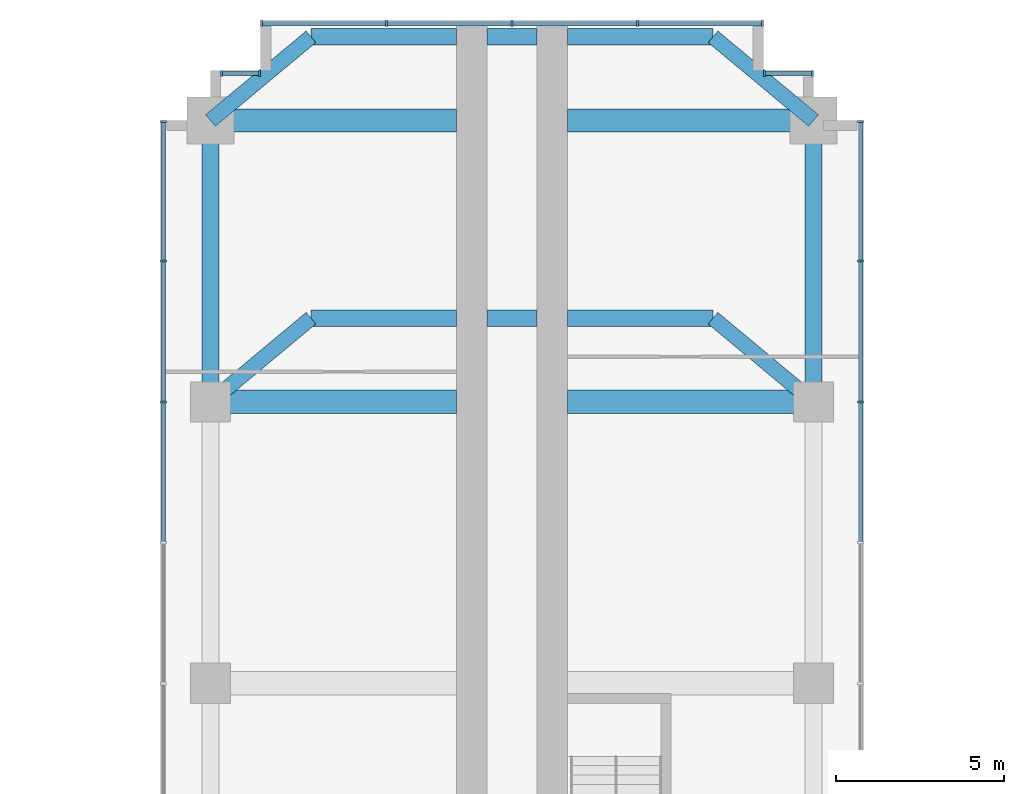
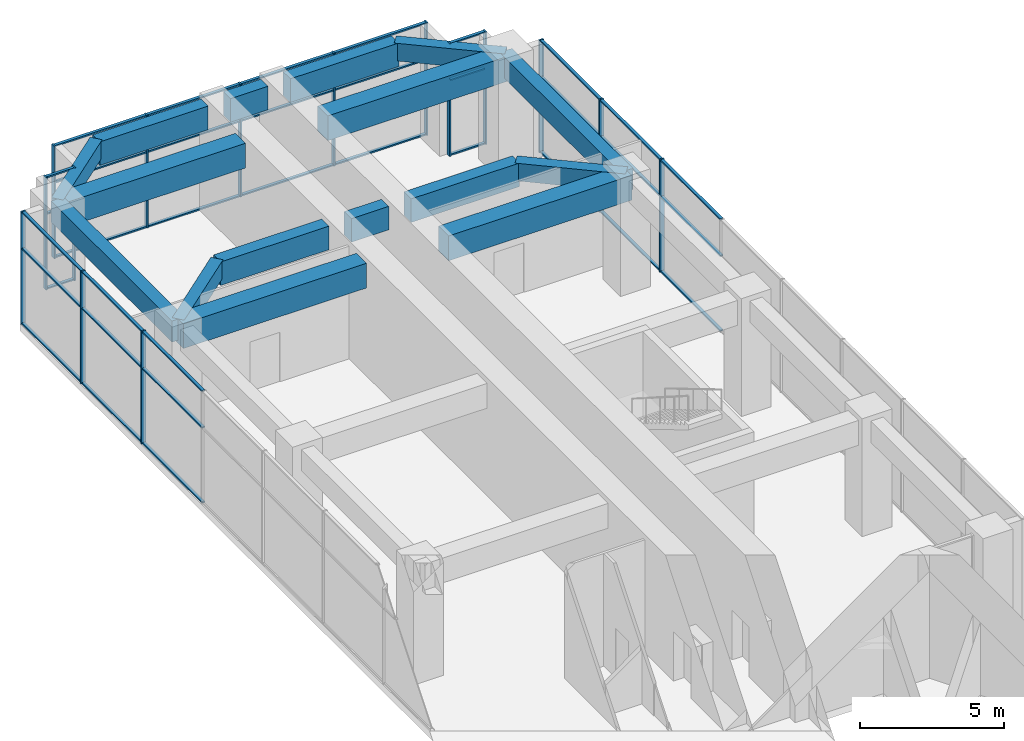
# One storey, part 11 of 20: 51 members, 16 beams, 5 elements without a shape of their own.
"""IFC4 building model written with IfcOpenShell, lengths in metres."""

from ifc_helpers import new_model, si_unit, direction, frame, origin, origin_2d, place, context, subcontext, project, spatial, rectangle, extrude, material, material_profile, profile_set, type_object, element, aggregate, save


model = new_model("IFC4")

# Units and contexts
model_context = context("Model", 3, precision=1e-05, world=origin(), true_north=direction((0.0, 1.0)))
body_context = subcontext(model_context, "Body", "Model", "MODEL_VIEW")
ifc_project = project(units=[si_unit("LENGTHUNIT", "METRE"), si_unit("AREAUNIT", "SQUARE_METRE"), si_unit("VOLUMEUNIT", "CUBIC_METRE"), si_unit("PLANEANGLEUNIT", "RADIAN"), si_unit("MASSUNIT", "GRAM", prefix="KILO")], contexts=[model_context])

# Site, building, storey
site_placement = place(None, origin())
site = spatial("IfcSite", under=ifc_project, at=site_placement, CompositionType="ELEMENT")
building_placement = place(site_placement, origin())
building = spatial("IfcBuilding", under=site, at=building_placement, Name="Impinga Residences", CompositionType="ELEMENT")
storey_placement = place(building_placement, frame((0.0, 0.0, 101.0)))
storey = spatial("IfcBuildingStorey", under=building, at=storey_placement, Name="L24", CompositionType="ELEMENT", Elevation=101.0)

# Beams
ifc_material_1 = material(Name="Concrete C60/75", Category="concrete")
ifc_material_profile_1 = material_profile(ifc_material_1, rectangle(XDim=0.449951171875, YDim=0.75, at=origin_2d()), Name="RC 450x750")
ifc_profile_set_1 = profile_set([ifc_material_profile_1], Name="Concrete C60/75")
beam_type_1 = type_object("IfcBeamType", Name="CB1 450x750 wing end cantilever beam", PredefinedType="BEAM", material=ifc_profile_set_1)
for number, where, z_axis, x_axis, name in (
    (1, (-9.0, 36.631591796875, 4.405029296875), (0.768221279597, 0.640184399664, 0.0), (-0.640184399664, 0.768221279597, 0.0), "Beam CB1 NB N4-NX level L25"),
    (2, (9.0, 36.631591796875, 4.405029296875), (-0.768221279597, 0.640184399664, 0.0), (-0.640184399664, -0.768221279597, 0.0), "Beam CB1 NE N4-NX level L25"),
    (3, (-9.0, 45.031494140625, 4.405029296875), (0.768221279597, 0.640184399664, 0.0), (-0.640184399664, 0.768221279597, 0.0), "Beam CB1 NB N5-NX level L25"),
    (4, (9.0, 45.031494140625, 4.405029296875), (-0.768221279597, 0.640184399664, 0.0), (-0.640184399664, -0.768221279597, 0.0), "Beam CB1 NE N5-NX level L25"),
):
    element("IfcBeam", number, at=place(storey_placement, frame(where, z_axis=z_axis, x_axis=x_axis)), inside=storey, type_object=beam_type_1, Name=name, PredefinedType="BEAM", context=body_context, shape_type="SweptSolid", body=[
        extrude(rectangle(XDim=0.449951171875, YDim=0.75, at=origin_2d()), origin(), (0.0, 0.0, 1.0), 3.905029296875),
    ])
ifc_material_profile_2 = material_profile(ifc_material_1, rectangle(XDim=0.699951171875, YDim=1.050048828125, at=origin_2d()), Name="RC 700x1050")
ifc_profile_set_2 = profile_set([ifc_material_profile_2], Name="Concrete C60/75")
beam_type_2 = type_object("IfcBeamType", Name="CG1 700x1050 cross girder on a wing bay line", PredefinedType="BEAM", material=ifc_profile_set_2)
for number, where, z_axis, x_axis, name in (
    (5, (-1.64990234375, 36.631591796875, 4.2548828125), (-1.0, 0.0, 0.0), (0.0, -1.0, 0.0), "Beam CG1 N4 NC/NA level L25"),
    (6, (-1.64990234375, 45.031494140625, 4.2548828125), (-1.0, 0.0, 0.0), (0.0, -1.0, 0.0), "Beam CG1 N5 NC/NA level L25"),
    (7, (1.64990234375, 36.631591796875, 4.2548828125), (1.0, 0.0, 0.0), (0.0, 1.0, 0.0), "Beam CG1 N4 NC/NF level L25"),
    (8, (1.64990234375, 45.031494140625, 4.2548828125), (1.0, 0.0, 0.0), (0.0, 1.0, 0.0), "Beam CG1 N5 NC/NF level L25"),
):
    element("IfcBeam", number, at=place(storey_placement, frame(where, z_axis=z_axis, x_axis=x_axis)), inside=storey, type_object=beam_type_2, Name=name, PredefinedType="BEAM", context=body_context, shape_type="SweptSolid", body=[
        extrude(rectangle(XDim=0.699951171875, YDim=1.050048828125, at=origin_2d()), origin(), (0.0, 0.0, 1.0), 7.35009765625),
    ])

# Curtain wall, members
ifc_material_2 = material(Name="Aluminium stick curtain wall", Category="aluminium")
curtain_wall_type = type_object("IfcCurtainWallType", Name="CW2 sky amenity curtain wall", PredefinedType="USERDEFINED", material=ifc_material_2)
curtain_wall_1_placement = place(storey_placement, origin())
curtain_wall_1 = element("IfcCurtainWall", 9, at=curtain_wall_1_placement, inside=storey, type_object=curtain_wall_type, Name="Curtain wall CW2 L24", ObjectType="STICK CURTAIN WALL", PredefinedType="USERDEFINED")
ifc_material_3 = material(Name="Aluminium mullion", Category="aluminium")
ifc_material_profile_3 = material_profile(ifc_material_3, rectangle(XDim=0.06005859375, YDim=0.179931640625, at=origin_2d()), Name="60x180 mullion")
ifc_profile_set_3 = profile_set([ifc_material_profile_3], Name="Aluminium mullion")
member_type_1 = type_object("IfcMemberType", Name="CW2-M mullion 60x180", PredefinedType="MULLION", material=ifc_profile_set_3)
member_1_placement = place(storey_placement, frame((-10.39990234375, 36.631591796875, 0.0), z_axis=(0.0, 0.0, 1.0), x_axis=(0.0, 1.0, 0.0)))
member_1 = element("IfcMember", 10, at=member_1_placement, type_object=member_type_1, Name="CW2 mullion 7", PredefinedType="MULLION", context=body_context, shape_type="SweptSolid", body=[
    extrude(rectangle(XDim=0.06005859375, YDim=0.179931640625, at=origin_2d()), origin(), (0.0, 0.0, 1.0), 4.780029296875),
])
member_2_placement = place(storey_placement, frame((-10.39990234375, 40.83154296875, 0.0), z_axis=(0.0, 0.0, 1.0), x_axis=(0.0, 1.0, 0.0)))
member_2 = element("IfcMember", 11, at=member_2_placement, type_object=member_type_1, Name="CW2 mullion 8", PredefinedType="MULLION", context=body_context, shape_type="SweptSolid", body=[
    extrude(rectangle(XDim=0.06005859375, YDim=0.179931640625, at=origin_2d()), origin(), (0.0, 0.0, 1.0), 4.780029296875),
])
member_3_placement = place(storey_placement, frame((-10.39990234375, 45.00146484375, 0.0), z_axis=(0.0, 0.0, 1.0), x_axis=(0.0, 1.0, 0.0)))
member_3 = element("IfcMember", 12, at=member_3_placement, type_object=member_type_1, Name="CW2 mullion 9", PredefinedType="MULLION", context=body_context, shape_type="SweptSolid", body=[
    extrude(rectangle(XDim=0.06005859375, YDim=0.179931640625, at=origin_2d()), origin(), (0.0, 0.0, 1.0), 4.780029296875),
])

curtain_wall_2_placement = place(storey_placement, origin())
curtain_wall_2 = element("IfcCurtainWall", 13, at=curtain_wall_2_placement, inside=storey, type_object=curtain_wall_type, Name="Curtain wall CW2 L24", ObjectType="STICK CURTAIN WALL", PredefinedType="USERDEFINED")
member_4_placement = place(storey_placement, frame((-8.669921875, 46.431640625, 0.0), z_axis=(0.0, 0.0, 1.0), x_axis=(1.0, 0.0, 0.0)))
member_4 = element("IfcMember", 14, at=member_4_placement, type_object=member_type_1, Name="CW2 mullion 1", PredefinedType="MULLION", context=body_context, shape_type="SweptSolid", body=[
    extrude(rectangle(XDim=0.06005859375, YDim=0.179931640625, at=origin_2d()), origin(), (0.0, 0.0, 1.0), 4.780029296875),
])
member_5_placement = place(storey_placement, frame((-7.530029296875, 46.431640625, 0.0), z_axis=(0.0, 0.0, 1.0), x_axis=(1.0, 0.0, 0.0)))
member_5 = element("IfcMember", 15, at=member_5_placement, type_object=member_type_1, Name="CW2 mullion 2", PredefinedType="MULLION", context=body_context, shape_type="SweptSolid", body=[
    extrude(rectangle(XDim=0.06005859375, YDim=0.179931640625, at=origin_2d()), origin(), (0.0, 0.0, 1.0), 4.780029296875),
])

curtain_wall_3_placement = place(storey_placement, origin())
curtain_wall_3 = element("IfcCurtainWall", 16, at=curtain_wall_3_placement, inside=storey, type_object=curtain_wall_type, Name="Curtain wall CW2 L24", ObjectType="STICK CURTAIN WALL", PredefinedType="USERDEFINED")
member_6_placement = place(storey_placement, frame((-7.469970703125, 47.931640625, 0.0), z_axis=(0.0, 0.0, 1.0), x_axis=(1.0, 0.0, 0.0)))
member_6 = element("IfcMember", 17, at=member_6_placement, type_object=member_type_1, Name="CW2 mullion 1", PredefinedType="MULLION", context=body_context, shape_type="SweptSolid", body=[
    extrude(rectangle(XDim=0.06005859375, YDim=0.179931640625, at=origin_2d()), origin(), (0.0, 0.0, 1.0), 4.780029296875),
])
member_7_placement = place(storey_placement, frame((-3.75, 47.931640625, 0.0), z_axis=(0.0, 0.0, 1.0), x_axis=(1.0, 0.0, 0.0)))
member_7 = element("IfcMember", 18, at=member_7_placement, type_object=member_type_1, Name="CW2 mullion 2", PredefinedType="MULLION", context=body_context, shape_type="SweptSolid", body=[
    extrude(rectangle(XDim=0.06005859375, YDim=0.179931640625, at=origin_2d()), origin(), (0.0, 0.0, 1.0), 4.780029296875),
])
member_8_placement = place(storey_placement, frame((0.0, 47.931640625, 0.0), z_axis=(0.0, 0.0, 1.0), x_axis=(1.0, 0.0, 0.0)))
member_8 = element("IfcMember", 19, at=member_8_placement, type_object=member_type_1, Name="CW2 mullion 3", PredefinedType="MULLION", context=body_context, shape_type="SweptSolid", body=[
    extrude(rectangle(XDim=0.06005859375, YDim=0.179931640625, at=origin_2d()), origin(), (0.0, 0.0, 1.0), 4.780029296875),
])
member_9_placement = place(storey_placement, frame((3.75, 47.931640625, 0.0), z_axis=(0.0, 0.0, 1.0), x_axis=(1.0, 0.0, 0.0)))
member_9 = element("IfcMember", 20, at=member_9_placement, type_object=member_type_1, Name="CW2 mullion 4", PredefinedType="MULLION", context=body_context, shape_type="SweptSolid", body=[
    extrude(rectangle(XDim=0.06005859375, YDim=0.179931640625, at=origin_2d()), origin(), (0.0, 0.0, 1.0), 4.780029296875),
])
member_10_placement = place(storey_placement, frame((7.469970703125, 47.931640625, 0.0), z_axis=(0.0, 0.0, 1.0), x_axis=(1.0, 0.0, 0.0)))
member_10 = element("IfcMember", 21, at=member_10_placement, type_object=member_type_1, Name="CW2 mullion 5", PredefinedType="MULLION", context=body_context, shape_type="SweptSolid", body=[
    extrude(rectangle(XDim=0.06005859375, YDim=0.179931640625, at=origin_2d()), origin(), (0.0, 0.0, 1.0), 4.780029296875),
])

curtain_wall_4_placement = place(storey_placement, origin())
curtain_wall_4 = element("IfcCurtainWall", 22, at=curtain_wall_4_placement, inside=storey, type_object=curtain_wall_type, Name="Curtain wall CW2 L24", ObjectType="STICK CURTAIN WALL", PredefinedType="USERDEFINED")
member_11_placement = place(storey_placement, frame((7.530029296875, 46.431640625, 0.0), z_axis=(0.0, 0.0, 1.0), x_axis=(1.0, 0.0, 0.0)))
member_11 = element("IfcMember", 23, at=member_11_placement, type_object=member_type_1, Name="CW2 mullion 1", PredefinedType="MULLION", context=body_context, shape_type="SweptSolid", body=[
    extrude(rectangle(XDim=0.06005859375, YDim=0.179931640625, at=origin_2d()), origin(), (0.0, 0.0, 1.0), 4.780029296875),
])
member_12_placement = place(storey_placement, frame((8.969970703125, 46.431640625, 0.0), z_axis=(0.0, 0.0, 1.0), x_axis=(1.0, 0.0, 0.0)))
member_12 = element("IfcMember", 24, at=member_12_placement, type_object=member_type_1, Name="CW2 mullion 2", PredefinedType="MULLION", context=body_context, shape_type="SweptSolid", body=[
    extrude(rectangle(XDim=0.06005859375, YDim=0.179931640625, at=origin_2d()), origin(), (0.0, 0.0, 1.0), 4.780029296875),
])

curtain_wall_5_placement = place(storey_placement, origin())
curtain_wall_5 = element("IfcCurtainWall", 25, at=curtain_wall_5_placement, inside=storey, type_object=curtain_wall_type, Name="Curtain wall CW2 L24", ObjectType="STICK CURTAIN WALL", PredefinedType="USERDEFINED")
member_13_placement = place(storey_placement, frame((10.39990234375, 45.00146484375, 0.0), z_axis=(0.0, 0.0, 1.0), x_axis=(0.0, -1.0, 0.0)))
member_13 = element("IfcMember", 26, at=member_13_placement, type_object=member_type_1, Name="CW2 mullion 1", PredefinedType="MULLION", context=body_context, shape_type="SweptSolid", body=[
    extrude(rectangle(XDim=0.06005859375, YDim=0.179931640625, at=origin_2d()), origin(), (0.0, 0.0, 1.0), 4.780029296875),
])
member_14_placement = place(storey_placement, frame((10.39990234375, 40.83154296875, 0.0), z_axis=(0.0, 0.0, 1.0), x_axis=(0.0, -1.0, 0.0)))
member_14 = element("IfcMember", 27, at=member_14_placement, type_object=member_type_1, Name="CW2 mullion 2", PredefinedType="MULLION", context=body_context, shape_type="SweptSolid", body=[
    extrude(rectangle(XDim=0.06005859375, YDim=0.179931640625, at=origin_2d()), origin(), (0.0, 0.0, 1.0), 4.780029296875),
])
member_15_placement = place(storey_placement, frame((10.39990234375, 36.631591796875, 0.0), z_axis=(0.0, 0.0, 1.0), x_axis=(0.0, -1.0, 0.0)))
member_15 = element("IfcMember", 28, at=member_15_placement, type_object=member_type_1, Name="CW2 mullion 3", PredefinedType="MULLION", context=body_context, shape_type="SweptSolid", body=[
    extrude(rectangle(XDim=0.06005859375, YDim=0.179931640625, at=origin_2d()), origin(), (0.0, 0.0, 1.0), 4.780029296875),
])

# Member
ifc_material_4 = material(Name="Aluminium transom", Category="aluminium")
ifc_material_profile_4 = material_profile(ifc_material_4, rectangle(XDim=0.06005859375, YDim=0.1201171875, at=origin_2d()), Name="60x120 transom")
ifc_profile_set_4 = profile_set([ifc_material_profile_4], Name="Aluminium transom")
member_type_2 = type_object("IfcMemberType", Name="CW2-T transom 60x120", PredefinedType="USERDEFINED", material=ifc_profile_set_4)
member_16_placement = place(storey_placement, frame((-10.39990234375, 32.46142578125, 0.030029296875), z_axis=(0.0, 1.0, 0.0), x_axis=(0.0, 0.0, 1.0)))
member_16 = element("IfcMember", 29, at=member_16_placement, type_object=member_type_2, Name="CW2 transom 6.1", ObjectType="TRANSOM", PredefinedType="USERDEFINED", context=body_context, shape_type="SweptSolid", body=[
    extrude(rectangle(XDim=0.06005859375, YDim=0.1201171875, at=origin_2d()), origin(), (0.0, 0.0, 1.0), 4.14013671875),
])

member_17_placement = place(storey_placement, frame((-10.39990234375, 32.46142578125, 3.199951171875), z_axis=(0.0, 1.0, 0.0), x_axis=(0.0, 0.0, 1.0)))
member_17 = element("IfcMember", 30, at=member_17_placement, type_object=member_type_2, Name="CW2 transom 6.2", ObjectType="TRANSOM", PredefinedType="USERDEFINED", context=body_context, shape_type="SweptSolid", body=[
    extrude(rectangle(XDim=0.06005859375, YDim=0.1201171875, at=origin_2d()), origin(), (0.0, 0.0, 1.0), 4.14013671875),
])

member_18_placement = place(storey_placement, frame((-10.39990234375, 32.46142578125, 4.75), z_axis=(0.0, 1.0, 0.0), x_axis=(0.0, 0.0, 1.0)))
member_18 = element("IfcMember", 31, at=member_18_placement, type_object=member_type_2, Name="CW2 transom 6.3", ObjectType="TRANSOM", PredefinedType="USERDEFINED", context=body_context, shape_type="SweptSolid", body=[
    extrude(rectangle(XDim=0.06005859375, YDim=0.1201171875, at=origin_2d()), origin(), (0.0, 0.0, 1.0), 4.14013671875),
])

member_19_placement = place(storey_placement, frame((-10.39990234375, 36.66162109375, 0.030029296875), z_axis=(0.0, 1.0, 0.0), x_axis=(0.0, 0.0, 1.0)))
member_19 = element("IfcMember", 32, at=member_19_placement, type_object=member_type_2, Name="CW2 transom 7.1", ObjectType="TRANSOM", PredefinedType="USERDEFINED", context=body_context, shape_type="SweptSolid", body=[
    extrude(rectangle(XDim=0.06005859375, YDim=0.1201171875, at=origin_2d()), origin(), (0.0, 0.0, 1.0), 4.139892578125),
])

member_20_placement = place(storey_placement, frame((-10.39990234375, 36.66162109375, 3.199951171875), z_axis=(0.0, 1.0, 0.0), x_axis=(0.0, 0.0, 1.0)))
member_20 = element("IfcMember", 33, at=member_20_placement, type_object=member_type_2, Name="CW2 transom 7.2", ObjectType="TRANSOM", PredefinedType="USERDEFINED", context=body_context, shape_type="SweptSolid", body=[
    extrude(rectangle(XDim=0.06005859375, YDim=0.1201171875, at=origin_2d()), origin(), (0.0, 0.0, 1.0), 4.139892578125),
])

member_21_placement = place(storey_placement, frame((-10.39990234375, 36.66162109375, 4.75), z_axis=(0.0, 1.0, 0.0), x_axis=(0.0, 0.0, 1.0)))
member_21 = element("IfcMember", 34, at=member_21_placement, type_object=member_type_2, Name="CW2 transom 7.3", ObjectType="TRANSOM", PredefinedType="USERDEFINED", context=body_context, shape_type="SweptSolid", body=[
    extrude(rectangle(XDim=0.06005859375, YDim=0.1201171875, at=origin_2d()), origin(), (0.0, 0.0, 1.0), 4.139892578125),
])

member_22_placement = place(storey_placement, frame((-10.39990234375, 40.861572265625, 0.030029296875), z_axis=(0.0, 1.0, 0.0), x_axis=(0.0, 0.0, 1.0)))
member_22 = element("IfcMember", 35, at=member_22_placement, type_object=member_type_2, Name="CW2 transom 8.1", ObjectType="TRANSOM", PredefinedType="USERDEFINED", context=body_context, shape_type="SweptSolid", body=[
    extrude(rectangle(XDim=0.06005859375, YDim=0.1201171875, at=origin_2d()), origin(), (0.0, 0.0, 1.0), 4.10986328125),
])

member_23_placement = place(storey_placement, frame((-10.39990234375, 40.861572265625, 3.199951171875), z_axis=(0.0, 1.0, 0.0), x_axis=(0.0, 0.0, 1.0)))
member_23 = element("IfcMember", 36, at=member_23_placement, type_object=member_type_2, Name="CW2 transom 8.2", ObjectType="TRANSOM", PredefinedType="USERDEFINED", context=body_context, shape_type="SweptSolid", body=[
    extrude(rectangle(XDim=0.06005859375, YDim=0.1201171875, at=origin_2d()), origin(), (0.0, 0.0, 1.0), 4.10986328125),
])

member_24_placement = place(storey_placement, frame((-10.39990234375, 40.861572265625, 4.75), z_axis=(0.0, 1.0, 0.0), x_axis=(0.0, 0.0, 1.0)))
member_24 = element("IfcMember", 37, at=member_24_placement, type_object=member_type_2, Name="CW2 transom 8.3", ObjectType="TRANSOM", PredefinedType="USERDEFINED", context=body_context, shape_type="SweptSolid", body=[
    extrude(rectangle(XDim=0.06005859375, YDim=0.1201171875, at=origin_2d()), origin(), (0.0, 0.0, 1.0), 4.10986328125),
])

aggregate(curtain_wall_1, [member_1, member_2, member_3, member_16, member_17, member_18, member_19, member_20, member_21, member_22, member_23, member_24])

member_25_placement = place(storey_placement, frame((-8.639892578125, 46.431640625, 0.030029296875), z_axis=(1.0, 0.0, 0.0), x_axis=(0.0, 0.0, 1.0)))
member_25 = element("IfcMember", 38, at=member_25_placement, type_object=member_type_2, Name="CW2 transom 1.1", ObjectType="TRANSOM", PredefinedType="USERDEFINED", context=body_context, shape_type="SweptSolid", body=[
    extrude(rectangle(XDim=0.06005859375, YDim=0.1201171875, at=origin_2d()), origin(), (0.0, 0.0, 1.0), 1.079833984375),
])

member_26_placement = place(storey_placement, frame((-8.639892578125, 46.431640625, 3.199951171875), z_axis=(1.0, 0.0, 0.0), x_axis=(0.0, 0.0, 1.0)))
member_26 = element("IfcMember", 39, at=member_26_placement, type_object=member_type_2, Name="CW2 transom 1.2", ObjectType="TRANSOM", PredefinedType="USERDEFINED", context=body_context, shape_type="SweptSolid", body=[
    extrude(rectangle(XDim=0.06005859375, YDim=0.1201171875, at=origin_2d()), origin(), (0.0, 0.0, 1.0), 1.079833984375),
])

member_27_placement = place(storey_placement, frame((-8.639892578125, 46.431640625, 4.75), z_axis=(1.0, 0.0, 0.0), x_axis=(0.0, 0.0, 1.0)))
member_27 = element("IfcMember", 40, at=member_27_placement, type_object=member_type_2, Name="CW2 transom 1.3", ObjectType="TRANSOM", PredefinedType="USERDEFINED", context=body_context, shape_type="SweptSolid", body=[
    extrude(rectangle(XDim=0.06005859375, YDim=0.1201171875, at=origin_2d()), origin(), (0.0, 0.0, 1.0), 1.079833984375),
])

aggregate(curtain_wall_2, [member_4, member_5, member_25, member_26, member_27])

member_28_placement = place(storey_placement, frame((-7.43994140625, 47.931640625, 0.030029296875), z_axis=(1.0, 0.0, 0.0), x_axis=(0.0, 0.0, 1.0)))
member_28 = element("IfcMember", 41, at=member_28_placement, type_object=member_type_2, Name="CW2 transom 1.1", ObjectType="TRANSOM", PredefinedType="USERDEFINED", context=body_context, shape_type="SweptSolid", body=[
    extrude(rectangle(XDim=0.06005859375, YDim=0.1201171875, at=origin_2d()), origin(), (0.0, 0.0, 1.0), 3.659912109375),
])

member_29_placement = place(storey_placement, frame((-7.43994140625, 47.931640625, 3.199951171875), z_axis=(1.0, 0.0, 0.0), x_axis=(0.0, 0.0, 1.0)))
member_29 = element("IfcMember", 42, at=member_29_placement, type_object=member_type_2, Name="CW2 transom 1.2", ObjectType="TRANSOM", PredefinedType="USERDEFINED", context=body_context, shape_type="SweptSolid", body=[
    extrude(rectangle(XDim=0.06005859375, YDim=0.1201171875, at=origin_2d()), origin(), (0.0, 0.0, 1.0), 3.659912109375),
])

member_30_placement = place(storey_placement, frame((-7.43994140625, 47.931640625, 4.75), z_axis=(1.0, 0.0, 0.0), x_axis=(0.0, 0.0, 1.0)))
member_30 = element("IfcMember", 43, at=member_30_placement, type_object=member_type_2, Name="CW2 transom 1.3", ObjectType="TRANSOM", PredefinedType="USERDEFINED", context=body_context, shape_type="SweptSolid", body=[
    extrude(rectangle(XDim=0.06005859375, YDim=0.1201171875, at=origin_2d()), origin(), (0.0, 0.0, 1.0), 3.659912109375),
])

member_31_placement = place(storey_placement, frame((-3.719970703125, 47.931640625, 0.030029296875), z_axis=(1.0, 0.0, 0.0), x_axis=(0.0, 0.0, 1.0)))
member_31 = element("IfcMember", 44, at=member_31_placement, type_object=member_type_2, Name="CW2 transom 2.1", ObjectType="TRANSOM", PredefinedType="USERDEFINED", context=body_context, shape_type="SweptSolid", body=[
    extrude(rectangle(XDim=0.06005859375, YDim=0.1201171875, at=origin_2d()), origin(), (0.0, 0.0, 1.0), 3.68994140625),
])

member_32_placement = place(storey_placement, frame((-3.719970703125, 47.931640625, 3.199951171875), z_axis=(1.0, 0.0, 0.0), x_axis=(0.0, 0.0, 1.0)))
member_32 = element("IfcMember", 45, at=member_32_placement, type_object=member_type_2, Name="CW2 transom 2.2", ObjectType="TRANSOM", PredefinedType="USERDEFINED", context=body_context, shape_type="SweptSolid", body=[
    extrude(rectangle(XDim=0.06005859375, YDim=0.1201171875, at=origin_2d()), origin(), (0.0, 0.0, 1.0), 3.68994140625),
])

member_33_placement = place(storey_placement, frame((-3.719970703125, 47.931640625, 4.75), z_axis=(1.0, 0.0, 0.0), x_axis=(0.0, 0.0, 1.0)))
member_33 = element("IfcMember", 46, at=member_33_placement, type_object=member_type_2, Name="CW2 transom 2.3", ObjectType="TRANSOM", PredefinedType="USERDEFINED", context=body_context, shape_type="SweptSolid", body=[
    extrude(rectangle(XDim=0.06005859375, YDim=0.1201171875, at=origin_2d()), origin(), (0.0, 0.0, 1.0), 3.68994140625),
])

member_34_placement = place(storey_placement, frame((0.030029296875, 47.931640625, 0.030029296875), z_axis=(1.0, 0.0, 0.0), x_axis=(0.0, 0.0, 1.0)))
member_34 = element("IfcMember", 47, at=member_34_placement, type_object=member_type_2, Name="CW2 transom 3.1", ObjectType="TRANSOM", PredefinedType="USERDEFINED", context=body_context, shape_type="SweptSolid", body=[
    extrude(rectangle(XDim=0.06005859375, YDim=0.1201171875, at=origin_2d()), origin(), (0.0, 0.0, 1.0), 3.68994140625),
])

member_35_placement = place(storey_placement, frame((0.030029296875, 47.931640625, 3.199951171875), z_axis=(1.0, 0.0, 0.0), x_axis=(0.0, 0.0, 1.0)))
member_35 = element("IfcMember", 48, at=member_35_placement, type_object=member_type_2, Name="CW2 transom 3.2", ObjectType="TRANSOM", PredefinedType="USERDEFINED", context=body_context, shape_type="SweptSolid", body=[
    extrude(rectangle(XDim=0.06005859375, YDim=0.1201171875, at=origin_2d()), origin(), (0.0, 0.0, 1.0), 3.68994140625),
])

member_36_placement = place(storey_placement, frame((0.030029296875, 47.931640625, 4.75), z_axis=(1.0, 0.0, 0.0), x_axis=(0.0, 0.0, 1.0)))
member_36 = element("IfcMember", 49, at=member_36_placement, type_object=member_type_2, Name="CW2 transom 3.3", ObjectType="TRANSOM", PredefinedType="USERDEFINED", context=body_context, shape_type="SweptSolid", body=[
    extrude(rectangle(XDim=0.06005859375, YDim=0.1201171875, at=origin_2d()), origin(), (0.0, 0.0, 1.0), 3.68994140625),
])

member_37_placement = place(storey_placement, frame((3.780029296875, 47.931640625, 0.030029296875), z_axis=(1.0, 0.0, 0.0), x_axis=(0.0, 0.0, 1.0)))
member_37 = element("IfcMember", 50, at=member_37_placement, type_object=member_type_2, Name="CW2 transom 4.1", ObjectType="TRANSOM", PredefinedType="USERDEFINED", context=body_context, shape_type="SweptSolid", body=[
    extrude(rectangle(XDim=0.06005859375, YDim=0.1201171875, at=origin_2d()), origin(), (0.0, 0.0, 1.0), 3.659912109375),
])

member_38_placement = place(storey_placement, frame((3.780029296875, 47.931640625, 3.199951171875), z_axis=(1.0, 0.0, 0.0), x_axis=(0.0, 0.0, 1.0)))
member_38 = element("IfcMember", 51, at=member_38_placement, type_object=member_type_2, Name="CW2 transom 4.2", ObjectType="TRANSOM", PredefinedType="USERDEFINED", context=body_context, shape_type="SweptSolid", body=[
    extrude(rectangle(XDim=0.06005859375, YDim=0.1201171875, at=origin_2d()), origin(), (0.0, 0.0, 1.0), 3.659912109375),
])

member_39_placement = place(storey_placement, frame((3.780029296875, 47.931640625, 4.75), z_axis=(1.0, 0.0, 0.0), x_axis=(0.0, 0.0, 1.0)))
member_39 = element("IfcMember", 52, at=member_39_placement, type_object=member_type_2, Name="CW2 transom 4.3", ObjectType="TRANSOM", PredefinedType="USERDEFINED", context=body_context, shape_type="SweptSolid", body=[
    extrude(rectangle(XDim=0.06005859375, YDim=0.1201171875, at=origin_2d()), origin(), (0.0, 0.0, 1.0), 3.659912109375),
])

aggregate(curtain_wall_3, [member_6, member_7, member_8, member_9, member_10, member_28, member_29, member_30, member_31, member_32, member_33, member_34, member_35, member_36, member_37, member_38, member_39])

member_40_placement = place(storey_placement, frame((7.56005859375, 46.431640625, 0.030029296875), z_axis=(1.0, 0.0, 0.0), x_axis=(0.0, 0.0, 1.0)))
member_40 = element("IfcMember", 53, at=member_40_placement, type_object=member_type_2, Name="CW2 transom 1.1", ObjectType="TRANSOM", PredefinedType="USERDEFINED", context=body_context, shape_type="SweptSolid", body=[
    extrude(rectangle(XDim=0.06005859375, YDim=0.1201171875, at=origin_2d()), origin(), (0.0, 0.0, 1.0), 1.3798828125),
])

member_41_placement = place(storey_placement, frame((7.56005859375, 46.431640625, 3.199951171875), z_axis=(1.0, 0.0, 0.0), x_axis=(0.0, 0.0, 1.0)))
member_41 = element("IfcMember", 54, at=member_41_placement, type_object=member_type_2, Name="CW2 transom 1.2", ObjectType="TRANSOM", PredefinedType="USERDEFINED", context=body_context, shape_type="SweptSolid", body=[
    extrude(rectangle(XDim=0.06005859375, YDim=0.1201171875, at=origin_2d()), origin(), (0.0, 0.0, 1.0), 1.3798828125),
])

member_42_placement = place(storey_placement, frame((7.56005859375, 46.431640625, 4.75), z_axis=(1.0, 0.0, 0.0), x_axis=(0.0, 0.0, 1.0)))
member_42 = element("IfcMember", 55, at=member_42_placement, type_object=member_type_2, Name="CW2 transom 1.3", ObjectType="TRANSOM", PredefinedType="USERDEFINED", context=body_context, shape_type="SweptSolid", body=[
    extrude(rectangle(XDim=0.06005859375, YDim=0.1201171875, at=origin_2d()), origin(), (0.0, 0.0, 1.0), 1.3798828125),
])

aggregate(curtain_wall_4, [member_11, member_12, member_40, member_41, member_42])

member_43_placement = place(storey_placement, frame((10.39990234375, 44.971435546875, 0.030029296875), z_axis=(0.0, -1.0, 0.0), x_axis=(0.0, 0.0, 1.0)))
member_43 = element("IfcMember", 56, at=member_43_placement, type_object=member_type_2, Name="CW2 transom 1.1", ObjectType="TRANSOM", PredefinedType="USERDEFINED", context=body_context, shape_type="SweptSolid", body=[
    extrude(rectangle(XDim=0.06005859375, YDim=0.1201171875, at=origin_2d()), origin(), (0.0, 0.0, 1.0), 4.10986328125),
])

member_44_placement = place(storey_placement, frame((10.39990234375, 44.971435546875, 3.199951171875), z_axis=(0.0, -1.0, 0.0), x_axis=(0.0, 0.0, 1.0)))
member_44 = element("IfcMember", 57, at=member_44_placement, type_object=member_type_2, Name="CW2 transom 1.2", ObjectType="TRANSOM", PredefinedType="USERDEFINED", context=body_context, shape_type="SweptSolid", body=[
    extrude(rectangle(XDim=0.06005859375, YDim=0.1201171875, at=origin_2d()), origin(), (0.0, 0.0, 1.0), 4.10986328125),
])

member_45_placement = place(storey_placement, frame((10.39990234375, 44.971435546875, 4.75), z_axis=(0.0, -1.0, 0.0), x_axis=(0.0, 0.0, 1.0)))
member_45 = element("IfcMember", 58, at=member_45_placement, type_object=member_type_2, Name="CW2 transom 1.3", ObjectType="TRANSOM", PredefinedType="USERDEFINED", context=body_context, shape_type="SweptSolid", body=[
    extrude(rectangle(XDim=0.06005859375, YDim=0.1201171875, at=origin_2d()), origin(), (0.0, 0.0, 1.0), 4.10986328125),
])

member_46_placement = place(storey_placement, frame((10.39990234375, 40.801513671875, 0.030029296875), z_axis=(0.0, -1.0, 0.0), x_axis=(0.0, 0.0, 1.0)))
member_46 = element("IfcMember", 59, at=member_46_placement, type_object=member_type_2, Name="CW2 transom 2.1", ObjectType="TRANSOM", PredefinedType="USERDEFINED", context=body_context, shape_type="SweptSolid", body=[
    extrude(rectangle(XDim=0.06005859375, YDim=0.1201171875, at=origin_2d()), origin(), (0.0, 0.0, 1.0), 4.139892578125),
])

member_47_placement = place(storey_placement, frame((10.39990234375, 40.801513671875, 3.199951171875), z_axis=(0.0, -1.0, 0.0), x_axis=(0.0, 0.0, 1.0)))
member_47 = element("IfcMember", 60, at=member_47_placement, type_object=member_type_2, Name="CW2 transom 2.2", ObjectType="TRANSOM", PredefinedType="USERDEFINED", context=body_context, shape_type="SweptSolid", body=[
    extrude(rectangle(XDim=0.06005859375, YDim=0.1201171875, at=origin_2d()), origin(), (0.0, 0.0, 1.0), 4.139892578125),
])

member_48_placement = place(storey_placement, frame((10.39990234375, 40.801513671875, 4.75), z_axis=(0.0, -1.0, 0.0), x_axis=(0.0, 0.0, 1.0)))
member_48 = element("IfcMember", 61, at=member_48_placement, type_object=member_type_2, Name="CW2 transom 2.3", ObjectType="TRANSOM", PredefinedType="USERDEFINED", context=body_context, shape_type="SweptSolid", body=[
    extrude(rectangle(XDim=0.06005859375, YDim=0.1201171875, at=origin_2d()), origin(), (0.0, 0.0, 1.0), 4.139892578125),
])

member_49_placement = place(storey_placement, frame((10.39990234375, 36.6015625, 0.030029296875), z_axis=(0.0, -1.0, 0.0), x_axis=(0.0, 0.0, 1.0)))
member_49 = element("IfcMember", 62, at=member_49_placement, type_object=member_type_2, Name="CW2 transom 3.1", ObjectType="TRANSOM", PredefinedType="USERDEFINED", context=body_context, shape_type="SweptSolid", body=[
    extrude(rectangle(XDim=0.06005859375, YDim=0.1201171875, at=origin_2d()), origin(), (0.0, 0.0, 1.0), 4.14013671875),
])

member_50_placement = place(storey_placement, frame((10.39990234375, 36.6015625, 3.199951171875), z_axis=(0.0, -1.0, 0.0), x_axis=(0.0, 0.0, 1.0)))
member_50 = element("IfcMember", 63, at=member_50_placement, type_object=member_type_2, Name="CW2 transom 3.2", ObjectType="TRANSOM", PredefinedType="USERDEFINED", context=body_context, shape_type="SweptSolid", body=[
    extrude(rectangle(XDim=0.06005859375, YDim=0.1201171875, at=origin_2d()), origin(), (0.0, 0.0, 1.0), 4.14013671875),
])

member_51_placement = place(storey_placement, frame((10.39990234375, 36.6015625, 4.75), z_axis=(0.0, -1.0, 0.0), x_axis=(0.0, 0.0, 1.0)))
member_51 = element("IfcMember", 64, at=member_51_placement, type_object=member_type_2, Name="CW2 transom 3.3", ObjectType="TRANSOM", PredefinedType="USERDEFINED", context=body_context, shape_type="SweptSolid", body=[
    extrude(rectangle(XDim=0.06005859375, YDim=0.1201171875, at=origin_2d()), origin(), (0.0, 0.0, 1.0), 4.14013671875),
])

aggregate(curtain_wall_5, [member_13, member_14, member_15, member_43, member_44, member_45, member_46, member_47, member_48, member_49, member_50, member_51])

# Beams
ifc_material_profile_5 = material_profile(ifc_material_1, rectangle(XDim=0.5, YDim=1.0, at=origin_2d()), Name="RC 500x1000")
ifc_profile_set_5 = profile_set([ifc_material_profile_5], Name="Concrete C60/75")
beam_type_3 = type_object("IfcBeamType", Name="EB1 500x1000 wing end beam", PredefinedType="BEAM", material=ifc_profile_set_5)
beam_1_placement = place(storey_placement, frame((-6.0, 39.131591796875, 4.280029296875), z_axis=(1.0, 0.0, 0.0), x_axis=(0.0, 1.0, 0.0)))
element("IfcBeam", 65, at=beam_1_placement, inside=storey, type_object=beam_type_3, Name="Beam EB1 NX3 level L25", PredefinedType="BEAM", context=body_context, shape_type="SweptSolid", body=[
    extrude(rectangle(XDim=0.5, YDim=1.0, at=origin_2d()), origin(), (0.0, 0.0, 1.0), 4.35009765625),
])
beam_2_placement = place(storey_placement, frame((-0.75, 39.131591796875, 4.280029296875), z_axis=(1.0, 0.0, 0.0), x_axis=(0.0, 1.0, 0.0)))
element("IfcBeam", 66, at=beam_2_placement, inside=storey, type_object=beam_type_3, Name="Beam EB1 NX3 level L25", PredefinedType="BEAM", context=body_context, shape_type="SweptSolid", body=[
    extrude(rectangle(XDim=0.5, YDim=1.0, at=origin_2d()), origin(), (0.0, 0.0, 1.0), 1.5),
])
for number, where, z_axis, x_axis, name in (
    (67, (1.64990234375, 39.131591796875, 4.280029296875), (1.0, 0.0, 0.0), (0.0, 1.0, 0.0), "Beam EB1 NX3 level L25"),
    (68, (-6.0, 47.531494140625, 4.280029296875), (1.0, 0.0, 0.0), (0.0, 1.0, 0.0), "Beam EB1 NX4 level L25"),
):
    element("IfcBeam", number, at=place(storey_placement, frame(where, z_axis=z_axis, x_axis=x_axis)), inside=storey, type_object=beam_type_3, Name=name, PredefinedType="BEAM", context=body_context, shape_type="SweptSolid", body=[
        extrude(rectangle(XDim=0.5, YDim=1.0, at=origin_2d()), origin(), (0.0, 0.0, 1.0), 4.35009765625),
    ])
beam_3_placement = place(storey_placement, frame((-0.75, 47.531494140625, 4.280029296875), z_axis=(1.0, 0.0, 0.0), x_axis=(0.0, 1.0, 0.0)))
element("IfcBeam", 69, at=beam_3_placement, inside=storey, type_object=beam_type_3, Name="Beam EB1 NX4 level L25", PredefinedType="BEAM", context=body_context, shape_type="SweptSolid", body=[
    extrude(rectangle(XDim=0.5, YDim=1.0, at=origin_2d()), origin(), (0.0, 0.0, 1.0), 1.5),
])
beam_4_placement = place(storey_placement, frame((1.64990234375, 47.531494140625, 4.280029296875), z_axis=(1.0, 0.0, 0.0), x_axis=(0.0, 1.0, 0.0)))
element("IfcBeam", 70, at=beam_4_placement, inside=storey, type_object=beam_type_3, Name="Beam EB1 NX4 level L25", PredefinedType="BEAM", context=body_context, shape_type="SweptSolid", body=[
    extrude(rectangle(XDim=0.5, YDim=1.0, at=origin_2d()), origin(), (0.0, 0.0, 1.0), 4.35009765625),
])
ifc_material_profile_6 = material_profile(ifc_material_1, rectangle(XDim=0.5, YDim=0.89990234375, at=origin_2d()), Name="RC 500x900")
ifc_profile_set_6 = profile_set([ifc_material_profile_6], Name="Concrete C60/75")
beam_type_4 = type_object("IfcBeamType", Name="SB1 500x900 perimeter spandrel beam", PredefinedType="SPANDREL", material=ifc_profile_set_6)
for number, where, z_axis, x_axis, name in (
    (71, (-9.0, 36.631591796875, 4.330078125), (0.0, 1.0, 0.0), (-1.0, 0.0, 0.0), "Beam SB1 NA N4-N5 level L25"),
    (72, (9.0, 36.631591796875, 4.330078125), (0.0, 1.0, 0.0), (-1.0, 0.0, 0.0), "Beam SB1 NF N4-N5 level L25"),
):
    element("IfcBeam", number, at=place(storey_placement, frame(where, z_axis=z_axis, x_axis=x_axis)), inside=storey, type_object=beam_type_4, Name=name, PredefinedType="SPANDREL", context=body_context, shape_type="SweptSolid", body=[
        extrude(rectangle(XDim=0.5, YDim=0.89990234375, at=origin_2d()), origin(), (0.0, 0.0, 1.0), 8.39990234375),
    ])

save(model, "model.ifc")
